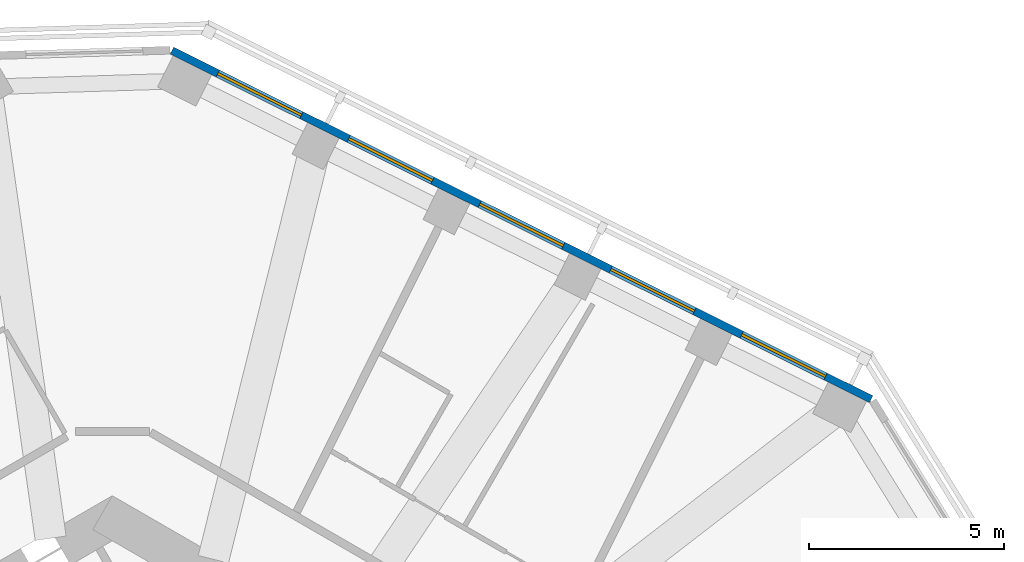
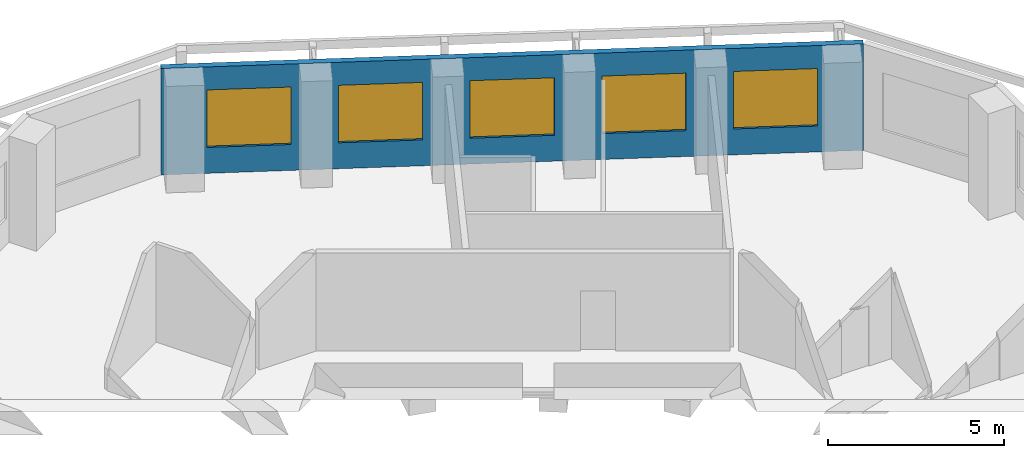
# One storey, part 8 of 11: 5 windows, 1 wall, 5 openings.
"""IFC4 building model written with IfcOpenShell, lengths in metres."""

from ifc_helpers import new_model, si_unit, direction, frame, frame_2d, origin, place, context, subcontext, project, spatial, rectangle, extrude, material, layer, layer_set, type_object, element, fill, save


model = new_model("IFC4")

# Units and contexts
model_context = context("Model", 3, precision=1e-05, world=origin(), true_north=direction((0.0, 1.0)))
body_context = subcontext(model_context, "Body", "Model", "MODEL_VIEW")
ifc_project = project(units=[si_unit("LENGTHUNIT", "METRE"), si_unit("AREAUNIT", "SQUARE_METRE"), si_unit("VOLUMEUNIT", "CUBIC_METRE"), si_unit("PLANEANGLEUNIT", "RADIAN"), si_unit("MASSUNIT", "GRAM", prefix="KILO")], contexts=[model_context])

# Site, building, storey
site_placement = place(None, origin())
site = spatial("IfcSite", under=ifc_project, at=site_placement, CompositionType="ELEMENT")
building_placement = place(site_placement, origin())
building = spatial("IfcBuilding", under=site, at=building_placement, Name="Vanh Sen Convention Tower", CompositionType="ELEMENT")
storey_placement = place(building_placement, frame((0.0, 0.0, 187.300048828125)))
storey = spatial("IfcBuildingStorey", under=building, at=storey_placement, Name="L46", CompositionType="ELEMENT", Elevation=187.300048828125)

# Wall, openings, windows
ifc_material_1 = material(Name="Insulated lightweight infill wall")
ifc_layer = layer(ifc_material_1, 0.199951171875)
ifc_layer_set = layer_set([ifc_layer], Name="Insulated lightweight infill wall")
wall_type = type_object("IfcWallType", Name="External wall 200", PredefinedType="STANDARD", material=ifc_layer_set)
wall_placement = place(storey_placement, frame((19.46435546875, 14.598876953125, 0.0), z_axis=(0.0, 0.0, 1.0), x_axis=(-0.894935755043, 0.446195018289, 0.0)))
wall = element("IfcWall", 1, at=wall_placement, inside=storey, type_object=wall_type, Name="External wall NE L46", PredefinedType="STANDARD", context=body_context, shape_type="SweptSolid", body=[
    extrude(rectangle(XDim=20.043701171875, YDim=0.199951171875, at=frame_2d((10.02197265625, 0.0))), origin(), (0.0, 0.0, 1.0), 3.699951171875),
])
opening_1_placement = place(wall_placement, frame((1.31298828125, 0.0, 0.89990234375)))
opening_1 = element("IfcOpeningElement", 2, at=opening_1_placement, cuts=wall, Name="Opening WO1-NE1", PredefinedType="OPENING", context=body_context, shape_type="SweptSolid", body=[
    extrude(rectangle(XDim=2.39990234375, YDim=2.0, at=frame_2d((1.199951171875, 1.0))), frame((0.0, 0.10986328125, 0.0), z_axis=(0.0, -1.0, 0.0), x_axis=(1.0, 0.0, 0.0)), (0.0, 0.0, 1.0), 0.219970703125),
])
opening_2_placement = place(wall_placement, frame((5.06689453125, 0.0, 0.89990234375)))
opening_2 = element("IfcOpeningElement", 3, at=opening_2_placement, cuts=wall, Name="Opening WO1-NE2", PredefinedType="OPENING", context=body_context, shape_type="SweptSolid", body=[
    extrude(rectangle(XDim=2.39990234375, YDim=2.0, at=frame_2d((1.199951171875, 1.0))), frame((0.0, 0.10986328125, 0.0), z_axis=(0.0, -1.0, 0.0), x_axis=(1.0, 0.0, 0.0)), (0.0, 0.0, 1.0), 0.219970703125),
])
opening_3_placement = place(wall_placement, frame((8.821044921875, 0.0, 0.89990234375)))
opening_3 = element("IfcOpeningElement", 4, at=opening_3_placement, cuts=wall, Name="Opening WO1-NE3", PredefinedType="OPENING", context=body_context, shape_type="SweptSolid", body=[
    extrude(rectangle(XDim=2.39990234375, YDim=2.0, at=frame_2d((1.199951171875, 1.0))), frame((0.0, 0.10986328125, 0.0), z_axis=(0.0, -1.0, 0.0), x_axis=(1.0, 0.0, 0.0)), (0.0, 0.0, 1.0), 0.219970703125),
])
opening_4_placement = place(wall_placement, frame((12.5751953125, 0.0, 0.89990234375)))
opening_4 = element("IfcOpeningElement", 5, at=opening_4_placement, cuts=wall, Name="Opening WO1-NE4", PredefinedType="OPENING", context=body_context, shape_type="SweptSolid", body=[
    extrude(rectangle(XDim=2.39990234375, YDim=2.0, at=frame_2d((1.199951171875, 1.0))), frame((0.0, 0.10986328125, 0.0), z_axis=(0.0, -1.0, 0.0), x_axis=(1.0, 0.0, 0.0)), (0.0, 0.0, 1.0), 0.219970703125),
])
opening_5_placement = place(wall_placement, frame((16.329345703125, 0.0, 0.89990234375)))
opening_5 = element("IfcOpeningElement", 6, at=opening_5_placement, cuts=wall, Name="Opening WO1-NE5", PredefinedType="OPENING", context=body_context, shape_type="SweptSolid", body=[
    extrude(rectangle(XDim=2.39990234375, YDim=2.0, at=frame_2d((1.199951171875, 1.0))), frame((0.0, 0.10986328125, 0.0), z_axis=(0.0, -1.0, 0.0), x_axis=(1.0, 0.0, 0.0)), (0.0, 0.0, 1.0), 0.219970703125),
])
ifc_material_2 = material(Name="Aluminium frame with clear low-emissivity glass", Category="aluminium")
window_type = type_object("IfcWindowType", Name="Office window 2400 x 2000", PartitioningType="SINGLE_PANEL", PredefinedType="WINDOW", material=ifc_material_2)
window_1_placement = place(opening_1_placement, origin())
window_1 = element("IfcWindow", 7, at=window_1_placement, inside=storey, type_object=window_type, Name="Window WO1-NE1", OverallHeight=2.0, OverallWidth=2.39990234375, PartitioningType="SINGLE_PANEL", PredefinedType="WINDOW", context=body_context, shape_type="SweptSolid", body=[
    extrude(rectangle(XDim=2.39990234375, YDim=2.0, at=frame_2d((1.199951171875, 1.0))), frame((0.0, 0.030029296875, 0.0), z_axis=(0.0, -1.0, 0.0), x_axis=(1.0, 0.0, 0.0)), (0.0, 0.0, 1.0), 0.06005859375),
])
fill(opening_1, window_1)
window_2_placement = place(opening_2_placement, origin())
window_2 = element("IfcWindow", 8, at=window_2_placement, inside=storey, type_object=window_type, Name="Window WO1-NE2", OverallHeight=2.0, OverallWidth=2.39990234375, PartitioningType="SINGLE_PANEL", PredefinedType="WINDOW", context=body_context, shape_type="SweptSolid", body=[
    extrude(rectangle(XDim=2.39990234375, YDim=2.0, at=frame_2d((1.199951171875, 1.0))), frame((0.0, 0.030029296875, 0.0), z_axis=(0.0, -1.0, 0.0), x_axis=(1.0, 0.0, 0.0)), (0.0, 0.0, 1.0), 0.06005859375),
])
fill(opening_2, window_2)
window_3_placement = place(opening_3_placement, origin())
window_3 = element("IfcWindow", 9, at=window_3_placement, inside=storey, type_object=window_type, Name="Window WO1-NE3", OverallHeight=2.0, OverallWidth=2.39990234375, PartitioningType="SINGLE_PANEL", PredefinedType="WINDOW", context=body_context, shape_type="SweptSolid", body=[
    extrude(rectangle(XDim=2.39990234375, YDim=2.0, at=frame_2d((1.199951171875, 1.0))), frame((0.0, 0.030029296875, 0.0), z_axis=(0.0, -1.0, 0.0), x_axis=(1.0, 0.0, 0.0)), (0.0, 0.0, 1.0), 0.06005859375),
])
fill(opening_3, window_3)
window_4_placement = place(opening_4_placement, origin())
window_4 = element("IfcWindow", 10, at=window_4_placement, inside=storey, type_object=window_type, Name="Window WO1-NE4", OverallHeight=2.0, OverallWidth=2.39990234375, PartitioningType="SINGLE_PANEL", PredefinedType="WINDOW", context=body_context, shape_type="SweptSolid", body=[
    extrude(rectangle(XDim=2.39990234375, YDim=2.0, at=frame_2d((1.199951171875, 1.0))), frame((0.0, 0.030029296875, 0.0), z_axis=(0.0, -1.0, 0.0), x_axis=(1.0, 0.0, 0.0)), (0.0, 0.0, 1.0), 0.06005859375),
])
fill(opening_4, window_4)
window_5_placement = place(opening_5_placement, origin())
window_5 = element("IfcWindow", 11, at=window_5_placement, inside=storey, type_object=window_type, Name="Window WO1-NE5", OverallHeight=2.0, OverallWidth=2.39990234375, PartitioningType="SINGLE_PANEL", PredefinedType="WINDOW", context=body_context, shape_type="SweptSolid", body=[
    extrude(rectangle(XDim=2.39990234375, YDim=2.0, at=frame_2d((1.199951171875, 1.0))), frame((0.0, 0.030029296875, 0.0), z_axis=(0.0, -1.0, 0.0), x_axis=(1.0, 0.0, 0.0)), (0.0, 0.0, 1.0), 0.06005859375),
])
fill(opening_5, window_5)

save(model, "model.ifc")
